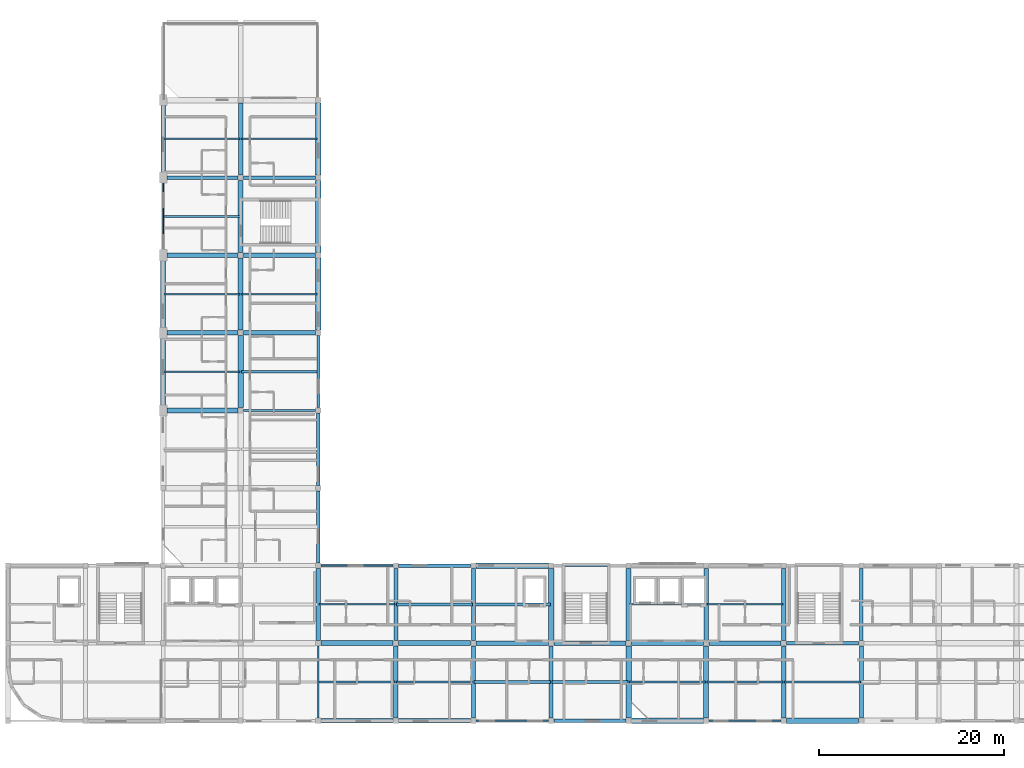
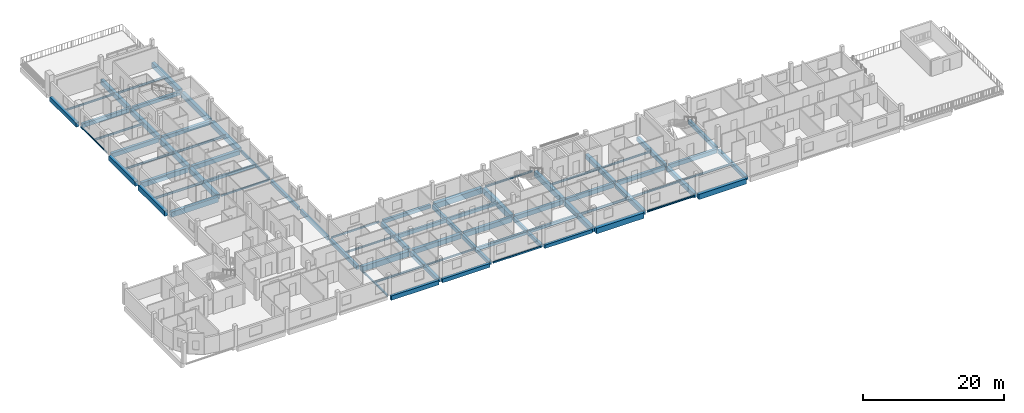
# One storey, part 3 of 26: 75 beams.
"""IFC4 building model written with IfcOpenShell, lengths in metres."""

from ifc_helpers import new_model, si_unit, derived_unit, direction, frame, origin, origin_2d, place, context, subcontext, project, spatial, rectangle, hollow_rectangle, i_section, extrude, material, material_profile, profile_set, type_object, element, save


model = new_model("IFC4")

# Units and contexts
model_context = context("Model", 3, precision=1e-05, world=origin(), true_north=direction((0.0, 1.0)))
body_context = subcontext(model_context, "Body", "Model", "MODEL_VIEW")
ifc_project = project(units=[si_unit("LENGTHUNIT", "METRE"), si_unit("AREAUNIT", "SQUARE_METRE"), si_unit("VOLUMEUNIT", "CUBIC_METRE"), si_unit("PLANEANGLEUNIT", "RADIAN"), si_unit("MASSUNIT", "GRAM", prefix="KILO"), derived_unit("THERMALTRANSMITTANCEUNIT", [(si_unit("POWERUNIT", "WATT"), 1), (si_unit("LENGTHUNIT", "METRE"), -2), (si_unit("THERMODYNAMICTEMPERATUREUNIT", "KELVIN"), -1)])], contexts=[model_context])

# Site, building, storey
site_placement = place(None, origin())
site = spatial("IfcSite", under=ifc_project, at=site_placement, CompositionType="ELEMENT")
building_placement = place(site_placement, origin())
building = spatial("IfcBuilding", under=site, at=building_placement, Name="Barrovel Congress Hotel", CompositionType="ELEMENT")
storey_placement = place(building_placement, frame((0.0, 0.0, 32.699951171875)))
storey = spatial("IfcBuildingStorey", under=building, at=storey_placement, Name="L08", CompositionType="ELEMENT", Elevation=32.699951171875)

# Beams
ifc_material_1 = material(Name="Concrete C40", Category="concrete")
ifc_material_profile_1 = material_profile(ifc_material_1, rectangle(XDim=0.25, YDim=0.5, at=origin_2d()), Name="RC250x500")
ifc_profile_set_1 = profile_set([ifc_material_profile_1], Name="Concrete C40")
beam_type_1 = type_object("IfcBeamType", Name="BM-RC250x500", PredefinedType="SPANDREL", material=ifc_profile_set_1)
beam_1_placement = place(storey_placement, frame((50.39990234375, 38.10009765625, -0.469970703125), z_axis=(0.0, 1.0, 0.0), x_axis=(-1.0, 0.0, 0.0)))
element("IfcBeam", 1, at=beam_1_placement, inside=storey, type_object=beam_type_1, Name="BMY:L08:50.4:37.8-46.2", PredefinedType="SPANDREL", context=body_context, shape_type="SweptSolid", body=[
    extrude(rectangle(XDim=0.25, YDim=0.5, at=origin_2d()), origin(), (0.0, 0.0, 1.0), 7.7998046875),
])
ifc_material_profile_2 = material_profile(ifc_material_1, rectangle(XDim=0.300048828125, YDim=0.5, at=origin_2d()), Name="RC300x500")
ifc_profile_set_2 = profile_set([ifc_material_profile_2], Name="Concrete C40")
beam_type_2 = type_object("IfcBeamType", Name="BM-RC300x500", PredefinedType="JOIST", material=ifc_profile_set_2)
for number, where, z_axis, x_axis, name in (
    (2, (42.080078125, 42.0, -0.469970703125), (1.0, 0.0, 0.0), (0.0, 1.0, 0.0), "JST:L08:42.0:42.0"),
    (3, (75.679931640625, 8.39990234375, -0.469970703125), (1.0, 0.0, 0.0), (0.0, 1.0, 0.0), "JST:L08:75.6:8.4"),
):
    element("IfcBeam", number, at=place(storey_placement, frame(where, z_axis=z_axis, x_axis=x_axis)), inside=storey, type_object=beam_type_2, Name=name, PredefinedType="JOIST", context=body_context, shape_type="SweptSolid", body=[
        extrude(rectangle(XDim=0.300048828125, YDim=0.5, at=origin_2d()), origin(), (0.0, 0.0, 1.0), 8.239990234375),
    ])
ifc_material_profile_3 = material_profile(ifc_material_1, rectangle(XDim=0.300048828125, YDim=0.60009765625, at=origin_2d()), Name="RC300x600")
ifc_profile_set_3 = profile_set([ifc_material_profile_3], Name="Concrete C40")
beam_type_3 = type_object("IfcBeamType", Name="BM-RC300x600", PredefinedType="JOIST", material=ifc_profile_set_3)
beam_2_placement = place(storey_placement, frame((67.280029296875, 16.800048828125, -0.52001953125), z_axis=(1.0, 0.0, 0.0), x_axis=(0.0, 1.0, 0.0)))
element("IfcBeam", 4, at=beam_2_placement, inside=storey, type_object=beam_type_3, Name="JST:L08:67.2:16.8", PredefinedType="JOIST", context=body_context, shape_type="SweptSolid", body=[
    extrude(rectangle(XDim=0.300048828125, YDim=0.60009765625, at=origin_2d()), origin(), (0.0, 0.0, 1.0), 8.239990234375),
])
ifc_material_profile_4 = material_profile(ifc_material_1, rectangle(XDim=0.35009765625, YDim=0.550048828125, at=origin_2d()), Name="RC350x550")
ifc_profile_set_4 = profile_set([ifc_material_profile_4], Name="Concrete C40")
beam_type_4 = type_object("IfcBeamType", Name="BM-RC350x550", PredefinedType="JOIST", material=ifc_profile_set_4)
beam_3_placement = place(storey_placement, frame((67.280029296875, 8.39990234375, -0.494873046875), z_axis=(1.0, 0.0, 0.0), x_axis=(0.0, 1.0, 0.0)))
element("IfcBeam", 5, at=beam_3_placement, inside=storey, type_object=beam_type_4, Name="JST:L08:67.2:8.4", PredefinedType="JOIST", context=body_context, shape_type="SweptSolid", body=[
    extrude(rectangle(XDim=0.35009765625, YDim=0.550048828125, at=origin_2d()), origin(), (0.0, 0.0, 1.0), 8.239990234375),
])
ifc_material_profile_5 = material_profile(ifc_material_1, rectangle(XDim=0.35009765625, YDim=0.64990234375, at=origin_2d()), Name="RC350x650")
ifc_profile_set_5 = profile_set([ifc_material_profile_5], Name="Concrete C40")
beam_type_5 = type_object("IfcBeamType", Name="BM-RC350x650", PredefinedType="JOIST", material=ifc_profile_set_5)
beam_4_placement = place(storey_placement, frame((58.8798828125, 16.800048828125, -0.544921875), z_axis=(1.0, 0.0, 0.0), x_axis=(0.0, 1.0, 0.0)))
element("IfcBeam", 6, at=beam_4_placement, inside=storey, type_object=beam_type_5, Name="JST:L08:58.8:16.8", PredefinedType="JOIST", context=body_context, shape_type="SweptSolid", body=[
    extrude(rectangle(XDim=0.35009765625, YDim=0.64990234375, at=origin_2d()), origin(), (0.0, 0.0, 1.0), 8.240234375),
])
ifc_material_profile_6 = material_profile(ifc_material_1, rectangle(XDim=0.39990234375, YDim=0.60009765625, at=origin_2d()), Name="RC400x600")
ifc_profile_set_6 = profile_set([ifc_material_profile_6], Name="Concrete C40")
beam_type_6 = type_object("IfcBeamType", Name="BM-RC400x600", PredefinedType="BEAM", material=ifc_profile_set_6)
beam_5_placement = place(storey_placement, frame((75.89990234375, 4.199951171875, -0.52001953125), z_axis=(1.0, 0.0, 0.0), x_axis=(0.0, 1.0, 0.0)))
element("IfcBeam", 7, at=beam_5_placement, inside=storey, type_object=beam_type_6, Name="BMX:L08:4.2:75.6-84.0", PredefinedType="BEAM", context=body_context, shape_type="SweptSolid", body=[
    extrude(rectangle(XDim=0.39990234375, YDim=0.60009765625, at=origin_2d()), origin(), (0.0, 0.0, 1.0), 7.800048828125),
])
beam_6_placement = place(storey_placement, frame((59.10009765625, 21.0, -0.52001953125), z_axis=(1.0, 0.0, 0.0), x_axis=(0.0, 1.0, 0.0)))
element("IfcBeam", 8, at=beam_6_placement, inside=storey, type_object=beam_type_6, Name="BMX:L08:21.0:58.8-67.2", PredefinedType="BEAM", context=body_context, shape_type="SweptSolid", body=[
    extrude(rectangle(XDim=0.39990234375, YDim=0.60009765625, at=origin_2d()), origin(), (0.0, 0.0, 1.0), 7.7998046875),
])
for number, where, z_axis, x_axis, name in (
    (9, (42.300048828125, 63.0, -0.52001953125), (1.0, 0.0, 0.0), (0.0, 1.0, 0.0), "BMX:L08:63.0:42.0-50.4"),
    (10, (50.39990234375, 29.699951171875, -0.52001953125), (0.0, 1.0, 0.0), (-1.0, 0.0, 0.0), "BMY:L08:50.4:29.4-37.8"),
    (11, (75.60009765625, 4.5, -0.52001953125), (0.0, 1.0, 0.0), (-1.0, 0.0, 0.0), "BMY:L08:75.6:4.2-12.6"),
):
    element("IfcBeam", number, at=place(storey_placement, frame(where, z_axis=z_axis, x_axis=x_axis)), inside=storey, type_object=beam_type_6, Name=name, PredefinedType="BEAM", context=body_context, shape_type="SweptSolid", body=[
        extrude(rectangle(XDim=0.39990234375, YDim=0.60009765625, at=origin_2d()), origin(), (0.0, 0.0, 1.0), 7.800048828125),
    ])
ifc_material_profile_7 = material_profile(ifc_material_1, rectangle(XDim=0.39990234375, YDim=0.699951171875, at=origin_2d()), Name="RC400x700")
ifc_profile_set_7 = profile_set([ifc_material_profile_7], Name="Concrete C40")
beam_type_7 = type_object("IfcBeamType", Name="BM-RC400x700", PredefinedType="BEAM", material=ifc_profile_set_7)
beam_7_placement = place(storey_placement, frame((101.10009765625, 12.60009765625, -0.570068359375), z_axis=(1.0, 0.0, 0.0), x_axis=(0.0, 1.0, 0.0)))
element("IfcBeam", 12, at=beam_7_placement, inside=storey, type_object=beam_type_7, Name="BMX:L08:12.6:100.8-109.2", PredefinedType="BEAM", context=body_context, shape_type="SweptSolid", body=[
    extrude(rectangle(XDim=0.39990234375, YDim=0.699951171875, at=origin_2d()), origin(), (0.0, 0.0, 1.0), 7.7998046875),
])
beam_8_placement = place(storey_placement, frame((34.0, 63.0, -0.570068359375), z_axis=(1.0, 0.0, 0.0), x_axis=(0.0, 1.0, 0.0)))
element("IfcBeam", 13, at=beam_8_placement, inside=storey, type_object=beam_type_7, Name="BMX:L08:63.0:33.6-42.0", PredefinedType="BEAM", context=body_context, shape_type="SweptSolid", body=[
    extrude(rectangle(XDim=0.39990234375, YDim=0.699951171875, at=origin_2d()), origin(), (0.0, 0.0, 1.0), 7.699951171875),
])
for number, where, z_axis, x_axis, name in (
    (14, (50.39990234375, 21.300048828125, -0.570068359375), (0.0, 1.0, 0.0), (-1.0, 0.0, 0.0), "BMY:L08:50.4:21.0-29.4"),
    (15, (67.199951171875, 12.89990234375, -0.570068359375), (0.0, 1.0, 0.0), (-1.0, 0.0, 0.0), "BMY:L08:67.2:12.6-21.0"),
    (16, (109.199951171875, 12.89990234375, -0.570068359375), (0.0, 1.0, 0.0), (-1.0, 0.0, 0.0), "BMY:L08:109.2:12.6-21.0"),
):
    element("IfcBeam", number, at=place(storey_placement, frame(where, z_axis=z_axis, x_axis=x_axis)), inside=storey, type_object=beam_type_7, Name=name, PredefinedType="BEAM", context=body_context, shape_type="SweptSolid", body=[
        extrude(rectangle(XDim=0.39990234375, YDim=0.699951171875, at=origin_2d()), origin(), (0.0, 0.0, 1.0), 7.800048828125),
    ])
ifc_material_profile_8 = material_profile(ifc_material_1, rectangle(XDim=0.449951171875, YDim=0.64990234375, at=origin_2d()), Name="RC450x650")
ifc_profile_set_8 = profile_set([ifc_material_profile_8], Name="Concrete C40")
beam_type_8 = type_object("IfcBeamType", Name="BM-RC450x650", PredefinedType="BEAM", material=ifc_profile_set_8)
beam_9_placement = place(storey_placement, frame((59.10009765625, 4.199951171875, -0.544921875), z_axis=(1.0, 0.0, 0.0), x_axis=(0.0, 1.0, 0.0)))
element("IfcBeam", 17, at=beam_9_placement, inside=storey, type_object=beam_type_8, Name="BMX:L08:4.2:58.8-67.2", PredefinedType="BEAM", context=body_context, shape_type="SweptSolid", body=[
    extrude(rectangle(XDim=0.449951171875, YDim=0.64990234375, at=origin_2d()), origin(), (0.0, 0.0, 1.0), 7.7998046875),
])
for number, where, z_axis, x_axis, name in (
    (18, (92.699951171875, 12.60009765625, -0.544921875), (1.0, 0.0, 0.0), (0.0, 1.0, 0.0), "BMX:L08:12.6:92.4-100.8"),
    (19, (42.300048828125, 54.60009765625, -0.544921875), (1.0, 0.0, 0.0), (0.0, 1.0, 0.0), "BMX:L08:54.6:42.0-50.4"),
    (20, (50.39990234375, 12.89990234375, -0.544921875), (0.0, 1.0, 0.0), (-1.0, 0.0, 0.0), "BMY:L08:50.4:12.6-21.0"),
    (21, (67.199951171875, 4.5, -0.544921875), (0.0, 1.0, 0.0), (-1.0, 0.0, 0.0), "BMY:L08:67.2:4.2-12.6"),
    (22, (109.199951171875, 4.5, -0.544921875), (0.0, 1.0, 0.0), (-1.0, 0.0, 0.0), "BMY:L08:109.2:4.2-12.6"),
):
    element("IfcBeam", number, at=place(storey_placement, frame(where, z_axis=z_axis, x_axis=x_axis)), inside=storey, type_object=beam_type_8, Name=name, PredefinedType="BEAM", context=body_context, shape_type="SweptSolid", body=[
        extrude(rectangle(XDim=0.449951171875, YDim=0.64990234375, at=origin_2d()), origin(), (0.0, 0.0, 1.0), 7.800048828125),
    ])
ifc_material_profile_9 = material_profile(ifc_material_1, rectangle(XDim=0.449951171875, YDim=0.75, at=origin_2d()), Name="RC450x750")
ifc_profile_set_9 = profile_set([ifc_material_profile_9], Name="Concrete C40")
beam_type_9 = type_object("IfcBeamType", Name="BM-RC450x750", PredefinedType="BEAM", material=ifc_profile_set_9)
for number, where, z_axis, x_axis, name in (
    (23, (50.699951171875, 4.199951171875, -0.594970703125), (1.0, 0.0, 0.0), (0.0, 1.0, 0.0), "BMX:L08:4.2:50.4-58.8"),
    (24, (84.300048828125, 12.60009765625, -0.594970703125), (1.0, 0.0, 0.0), (0.0, 1.0, 0.0), "BMX:L08:12.6:84.0-92.4"),
):
    element("IfcBeam", number, at=place(storey_placement, frame(where, z_axis=z_axis, x_axis=x_axis)), inside=storey, type_object=beam_type_9, Name=name, PredefinedType="BEAM", context=body_context, shape_type="SweptSolid", body=[
        extrude(rectangle(XDim=0.449951171875, YDim=0.75, at=origin_2d()), origin(), (0.0, 0.0, 1.0), 7.800048828125),
    ])
beam_10_placement = place(storey_placement, frame((34.0, 54.60009765625, -0.594970703125), z_axis=(1.0, 0.0, 0.0), x_axis=(0.0, 1.0, 0.0)))
element("IfcBeam", 25, at=beam_10_placement, inside=storey, type_object=beam_type_9, Name="BMX:L08:54.6:33.6-42.0", PredefinedType="BEAM", context=body_context, shape_type="SweptSolid", body=[
    extrude(rectangle(XDim=0.449951171875, YDim=0.75, at=origin_2d()), origin(), (0.0, 0.0, 1.0), 7.699951171875),
])
for number, where, z_axis, x_axis, name in (
    (26, (58.800048828125, 12.89990234375, -0.594970703125), (0.0, 1.0, 0.0), (-1.0, 0.0, 0.0), "BMY:L08:58.8:12.6-21.0"),
    (27, (100.800048828125, 12.89990234375, -0.594970703125), (0.0, 1.0, 0.0), (-1.0, 0.0, 0.0), "BMY:L08:100.8:12.6-21.0"),
):
    element("IfcBeam", number, at=place(storey_placement, frame(where, z_axis=z_axis, x_axis=x_axis)), inside=storey, type_object=beam_type_9, Name=name, PredefinedType="BEAM", context=body_context, shape_type="SweptSolid", body=[
        extrude(rectangle(XDim=0.449951171875, YDim=0.75, at=origin_2d()), origin(), (0.0, 0.0, 1.0), 7.800048828125),
    ])
ifc_material_profile_10 = material_profile(ifc_material_1, rectangle(XDim=0.5, YDim=0.75, at=origin_2d()), Name="RC500x750")
ifc_profile_set_10 = profile_set([ifc_material_profile_10], Name="Concrete C40")
beam_type_10 = type_object("IfcBeamType", Name="BM-RC500x750", PredefinedType="BEAM", material=ifc_profile_set_10)
for number, where, z_axis, x_axis, name in (
    (28, (75.89990234375, 12.60009765625, -0.594970703125), (1.0, 0.0, 0.0), (0.0, 1.0, 0.0), "BMX:L08:12.6:75.6-84.0"),
    (29, (42.300048828125, 46.199951171875, -0.594970703125), (1.0, 0.0, 0.0), (0.0, 1.0, 0.0), "BMX:L08:46.2:42.0-50.4"),
):
    element("IfcBeam", number, at=place(storey_placement, frame(where, z_axis=z_axis, x_axis=x_axis)), inside=storey, type_object=beam_type_10, Name=name, PredefinedType="BEAM", context=body_context, shape_type="SweptSolid", body=[
        extrude(rectangle(XDim=0.5, YDim=0.75, at=origin_2d()), origin(), (0.0, 0.0, 1.0), 7.800048828125),
    ])
beam_11_placement = place(storey_placement, frame((33.60009765625, 63.449951171875, -0.594970703125), z_axis=(0.0, 1.0, 0.0), x_axis=(-1.0, 0.0, 0.0)))
element("IfcBeam", 30, at=beam_11_placement, inside=storey, type_object=beam_type_10, Name="BMY:L08:33.6:63.0-71.4", PredefinedType="BEAM", context=body_context, shape_type="SweptSolid", body=[
    extrude(rectangle(XDim=0.5, YDim=0.75, at=origin_2d()), origin(), (0.0, 0.0, 1.0), 7.5),
])
for number, where, z_axis, x_axis, name in (
    (31, (58.800048828125, 4.5, -0.594970703125), (0.0, 1.0, 0.0), (-1.0, 0.0, 0.0), "BMY:L08:58.8:4.2-12.6"),
    (32, (100.800048828125, 4.5, -0.594970703125), (0.0, 1.0, 0.0), (-1.0, 0.0, 0.0), "BMY:L08:100.8:4.2-12.6"),
):
    element("IfcBeam", number, at=place(storey_placement, frame(where, z_axis=z_axis, x_axis=x_axis)), inside=storey, type_object=beam_type_10, Name=name, PredefinedType="BEAM", context=body_context, shape_type="SweptSolid", body=[
        extrude(rectangle(XDim=0.5, YDim=0.75, at=origin_2d()), origin(), (0.0, 0.0, 1.0), 7.800048828125),
    ])
ifc_material_profile_11 = material_profile(ifc_material_1, rectangle(XDim=0.5, YDim=0.85009765625, at=origin_2d()), Name="RC500x850")
ifc_profile_set_11 = profile_set([ifc_material_profile_11], Name="Concrete C40")
beam_type_11 = type_object("IfcBeamType", Name="BM-RC500x850", PredefinedType="BEAM", material=ifc_profile_set_11)
beam_12_placement = place(storey_placement, frame((67.5, 12.60009765625, -0.64501953125), z_axis=(1.0, 0.0, 0.0), x_axis=(0.0, 1.0, 0.0)))
element("IfcBeam", 33, at=beam_12_placement, inside=storey, type_object=beam_type_11, Name="BMX:L08:12.6:67.2-75.6", PredefinedType="BEAM", context=body_context, shape_type="SweptSolid", body=[
    extrude(rectangle(XDim=0.5, YDim=0.85009765625, at=origin_2d()), origin(), (0.0, 0.0, 1.0), 7.800048828125),
])
beam_13_placement = place(storey_placement, frame((34.0, 46.199951171875, -0.64501953125), z_axis=(1.0, 0.0, 0.0), x_axis=(0.0, 1.0, 0.0)))
element("IfcBeam", 34, at=beam_13_placement, inside=storey, type_object=beam_type_11, Name="BMX:L08:46.2:33.6-42.0", PredefinedType="BEAM", context=body_context, shape_type="SweptSolid", body=[
    extrude(rectangle(XDim=0.5, YDim=0.85009765625, at=origin_2d()), origin(), (0.0, 0.0, 1.0), 7.699951171875),
])
for number, where, z_axis, x_axis, name in (
    (35, (42.0, 63.300048828125, -0.64501953125), (0.0, 1.0, 0.0), (-1.0, 0.0, 0.0), "BMY:L08:42.0:63.0-71.4"),
    (36, (92.39990234375, 12.89990234375, -0.64501953125), (0.0, 1.0, 0.0), (-1.0, 0.0, 0.0), "BMY:L08:92.4:12.6-21.0"),
):
    element("IfcBeam", number, at=place(storey_placement, frame(where, z_axis=z_axis, x_axis=x_axis)), inside=storey, type_object=beam_type_11, Name=name, PredefinedType="BEAM", context=body_context, shape_type="SweptSolid", body=[
        extrude(rectangle(XDim=0.5, YDim=0.85009765625, at=origin_2d()), origin(), (0.0, 0.0, 1.0), 7.800048828125),
    ])
ifc_material_profile_12 = material_profile(ifc_material_1, rectangle(XDim=0.550048828125, YDim=0.800048828125, at=origin_2d()), Name="RC550x800")
ifc_profile_set_12 = profile_set([ifc_material_profile_12], Name="Concrete C40")
beam_type_12 = type_object("IfcBeamType", Name="BM-RC550x800", PredefinedType="BEAM", material=ifc_profile_set_12)
beam_14_placement = place(storey_placement, frame((59.10009765625, 12.60009765625, -0.619873046875), z_axis=(1.0, 0.0, 0.0), x_axis=(0.0, 1.0, 0.0)))
element("IfcBeam", 37, at=beam_14_placement, inside=storey, type_object=beam_type_12, Name="BMX:L08:12.6:58.8-67.2", PredefinedType="BEAM", context=body_context, shape_type="SweptSolid", body=[
    extrude(rectangle(XDim=0.550048828125, YDim=0.800048828125, at=origin_2d()), origin(), (0.0, 0.0, 1.0), 7.7998046875),
])
beam_15_placement = place(storey_placement, frame((33.60009765625, 46.64990234375, -0.619873046875), z_axis=(0.0, 1.0, 0.0), x_axis=(-1.0, 0.0, 0.0)))
element("IfcBeam", 38, at=beam_15_placement, inside=storey, type_object=beam_type_12, Name="BMY:L08:33.6:46.2-54.6", PredefinedType="BEAM", context=body_context, shape_type="SweptSolid", body=[
    extrude(rectangle(XDim=0.550048828125, YDim=0.800048828125, at=origin_2d()), origin(), (0.0, 0.0, 1.0), 7.5),
])
for number, where, z_axis, x_axis, name in (
    (39, (42.0, 54.89990234375, -0.619873046875), (0.0, 1.0, 0.0), (-1.0, 0.0, 0.0), "BMY:L08:42.0:54.6-63.0"),
    (40, (50.39990234375, 63.300048828125, -0.619873046875), (0.0, 1.0, 0.0), (-1.0, 0.0, 0.0), "BMY:L08:50.4:63.0-71.4"),
    (41, (92.39990234375, 4.5, -0.619873046875), (0.0, 1.0, 0.0), (-1.0, 0.0, 0.0), "BMY:L08:92.4:4.2-12.6"),
):
    element("IfcBeam", number, at=place(storey_placement, frame(where, z_axis=z_axis, x_axis=x_axis)), inside=storey, type_object=beam_type_12, Name=name, PredefinedType="BEAM", context=body_context, shape_type="SweptSolid", body=[
        extrude(rectangle(XDim=0.550048828125, YDim=0.800048828125, at=origin_2d()), origin(), (0.0, 0.0, 1.0), 7.800048828125),
    ])
ifc_material_profile_13 = material_profile(ifc_material_1, rectangle(XDim=0.550048828125, YDim=0.89990234375, at=origin_2d()), Name="RC550x900")
ifc_profile_set_13 = profile_set([ifc_material_profile_13], Name="Concrete C40")
beam_type_13 = type_object("IfcBeamType", Name="BM-RC550x900", PredefinedType="BEAM", material=ifc_profile_set_13)
beam_16_placement = place(storey_placement, frame((101.10009765625, 4.199951171875, -0.669921875), z_axis=(1.0, 0.0, 0.0), x_axis=(0.0, 1.0, 0.0)))
element("IfcBeam", 42, at=beam_16_placement, inside=storey, type_object=beam_type_13, Name="BMX:L08:4.2:100.8-109.2", PredefinedType="BEAM", context=body_context, shape_type="SweptSolid", body=[
    extrude(rectangle(XDim=0.550048828125, YDim=0.89990234375, at=origin_2d()), origin(), (0.0, 0.0, 1.0), 7.7998046875),
])
beam_17_placement = place(storey_placement, frame((50.699951171875, 12.60009765625, -0.669921875), z_axis=(1.0, 0.0, 0.0), x_axis=(0.0, 1.0, 0.0)))
element("IfcBeam", 43, at=beam_17_placement, inside=storey, type_object=beam_type_13, Name="BMX:L08:12.6:50.4-58.8", PredefinedType="BEAM", context=body_context, shape_type="SweptSolid", body=[
    extrude(rectangle(XDim=0.550048828125, YDim=0.89990234375, at=origin_2d()), origin(), (0.0, 0.0, 1.0), 7.800048828125),
])
beam_18_placement = place(storey_placement, frame((34.0, 37.800048828125, -0.669921875), z_axis=(1.0, 0.0, 0.0), x_axis=(0.0, 1.0, 0.0)))
element("IfcBeam", 44, at=beam_18_placement, inside=storey, type_object=beam_type_13, Name="BMX:L08:37.8:33.6-42.0", PredefinedType="BEAM", context=body_context, shape_type="SweptSolid", body=[
    extrude(rectangle(XDim=0.550048828125, YDim=0.89990234375, at=origin_2d()), origin(), (0.0, 0.0, 1.0), 7.699951171875),
])
beam_19_placement = place(storey_placement, frame((33.60009765625, 38.25, -0.669921875), z_axis=(0.0, 1.0, 0.0), x_axis=(-1.0, 0.0, 0.0)))
element("IfcBeam", 45, at=beam_19_placement, inside=storey, type_object=beam_type_13, Name="BMY:L08:33.6:37.8-46.2", PredefinedType="BEAM", context=body_context, shape_type="SweptSolid", body=[
    extrude(rectangle(XDim=0.550048828125, YDim=0.89990234375, at=origin_2d()), origin(), (0.0, 0.0, 1.0), 7.5),
])
for number, where, z_axis, x_axis, name in (
    (46, (42.0, 46.5, -0.669921875), (0.0, 1.0, 0.0), (-1.0, 0.0, 0.0), "BMY:L08:42.0:46.2-54.6"),
    (47, (50.39990234375, 54.89990234375, -0.669921875), (0.0, 1.0, 0.0), (-1.0, 0.0, 0.0), "BMY:L08:50.4:54.6-63.0"),
    (48, (84.0, 12.89990234375, -0.669921875), (0.0, 1.0, 0.0), (-1.0, 0.0, 0.0), "BMY:L08:84.0:12.6-21.0"),
):
    element("IfcBeam", number, at=place(storey_placement, frame(where, z_axis=z_axis, x_axis=x_axis)), inside=storey, type_object=beam_type_13, Name=name, PredefinedType="BEAM", context=body_context, shape_type="SweptSolid", body=[
        extrude(rectangle(XDim=0.550048828125, YDim=0.89990234375, at=origin_2d()), origin(), (0.0, 0.0, 1.0), 7.800048828125),
    ])
ifc_material_profile_14 = material_profile(ifc_material_1, rectangle(XDim=0.60009765625, YDim=0.85009765625, at=origin_2d()), Name="RC600x850")
ifc_profile_set_14 = profile_set([ifc_material_profile_14], Name="Concrete C40")
beam_type_14 = type_object("IfcBeamType", Name="BM-RC600x850", PredefinedType="BEAM", material=ifc_profile_set_14)
beam_20_placement = place(storey_placement, frame((42.0, 38.10009765625, -0.64501953125), z_axis=(0.0, 1.0, 0.0), x_axis=(-1.0, 0.0, 0.0)))
element("IfcBeam", 49, at=beam_20_placement, inside=storey, type_object=beam_type_14, Name="BMY:L08:42.0:37.8-46.2", PredefinedType="BEAM", context=body_context, shape_type="SweptSolid", body=[
    extrude(rectangle(XDim=0.60009765625, YDim=0.85009765625, at=origin_2d()), origin(), (0.0, 0.0, 1.0), 7.7998046875),
])
for number, where, z_axis, x_axis, name in (
    (50, (50.39990234375, 46.5, -0.64501953125), (0.0, 1.0, 0.0), (-1.0, 0.0, 0.0), "BMY:L08:50.4:46.2-54.6"),
    (51, (84.0, 4.5, -0.64501953125), (0.0, 1.0, 0.0), (-1.0, 0.0, 0.0), "BMY:L08:84.0:4.2-12.6"),
):
    element("IfcBeam", number, at=place(storey_placement, frame(where, z_axis=z_axis, x_axis=x_axis)), inside=storey, type_object=beam_type_14, Name=name, PredefinedType="BEAM", context=body_context, shape_type="SweptSolid", body=[
        extrude(rectangle(XDim=0.60009765625, YDim=0.85009765625, at=origin_2d()), origin(), (0.0, 0.0, 1.0), 7.800048828125),
    ])
ifc_material_profile_15 = material_profile(ifc_material_1, rectangle(XDim=0.60009765625, YDim=0.949951171875, at=origin_2d()), Name="RC600x950")
ifc_profile_set_15 = profile_set([ifc_material_profile_15], Name="Concrete C40")
beam_type_15 = type_object("IfcBeamType", Name="BM-RC600x950", PredefinedType="BEAM", material=ifc_profile_set_15)
for number, where, z_axis, x_axis, name in (
    (52, (84.300048828125, 4.199951171875, -0.695068359375), (1.0, 0.0, 0.0), (0.0, 1.0, 0.0), "BMX:L08:4.2:84.0-92.4"),
    (53, (67.5, 21.0, -0.695068359375), (1.0, 0.0, 0.0), (0.0, 1.0, 0.0), "BMX:L08:21.0:67.2-75.6"),
    (54, (75.60009765625, 12.89990234375, -0.695068359375), (0.0, 1.0, 0.0), (-1.0, 0.0, 0.0), "BMY:L08:75.6:12.6-21.0"),
):
    element("IfcBeam", number, at=place(storey_placement, frame(where, z_axis=z_axis, x_axis=x_axis)), inside=storey, type_object=beam_type_15, Name=name, PredefinedType="BEAM", context=body_context, shape_type="SweptSolid", body=[
        extrude(rectangle(XDim=0.60009765625, YDim=0.949951171875, at=origin_2d()), origin(), (0.0, 0.0, 1.0), 7.800048828125),
    ])
ifc_material_2 = material(Name="Steel ASTM A500 Grade C", Category="steel")
ifc_material_profile_16 = material_profile(ifc_material_2, hollow_rectangle(XDim=0.15234375, YDim=0.25390625, WallThickness=0.0087890625, InnerFilletRadius=0.0087890625, OuterFilletRadius=0.017578125, at=origin_2d()), Name="HSS254x152x9.5")
ifc_profile_set_16 = profile_set([ifc_material_profile_16], Name="Steel ASTM A500 Grade C")
beam_type_16 = type_object("IfcBeamType", Name="SBM-HSS254x152x9.5", PredefinedType="SPANDREL", material=ifc_profile_set_16)
beam_21_placement = place(storey_placement, frame((33.60009765625, 55.050048828125, -0.346923828125), z_axis=(0.0, 1.0, 0.0), x_axis=(-1.0, 0.0, 0.0)))
element("IfcBeam", 55, at=beam_21_placement, inside=storey, type_object=beam_type_16, Name="BMY:L08:33.6:54.6-63.0", PredefinedType="SPANDREL", context=body_context, shape_type="SweptSolid", body=[
    extrude(hollow_rectangle(XDim=0.15234375, YDim=0.25390625, WallThickness=0.0087890625, InnerFilletRadius=0.0087890625, OuterFilletRadius=0.017578125, at=origin_2d()), origin(), (0.0, 0.0, 1.0), 7.5),
])
ifc_material_profile_17 = material_profile(ifc_material_2, hollow_rectangle(XDim=0.203125, YDim=0.3046875, WallThickness=0.01171875, InnerFilletRadius=0.01171875, OuterFilletRadius=0.023681640625, at=origin_2d()), Name="HSS305x203x12.7")
ifc_profile_set_17 = profile_set([ifc_material_profile_17], Name="Steel ASTM A500 Grade C")
beam_type_17 = type_object("IfcBeamType", Name="SBM-HSS305x203x12.7", PredefinedType="SPANDREL", material=ifc_profile_set_17)
for number, where, z_axis, x_axis, name in (
    (56, (67.5, 4.199951171875, -0.372314453125), (1.0, 0.0, 0.0), (0.0, 1.0, 0.0), "BMX:L08:4.2:67.2-75.6"),
    (57, (50.699951171875, 21.0, -0.372314453125), (1.0, 0.0, 0.0), (0.0, 1.0, 0.0), "BMX:L08:21.0:50.4-58.8"),
    (58, (42.300048828125, 37.800048828125, -0.372314453125), (1.0, 0.0, 0.0), (0.0, 1.0, 0.0), "BMX:L08:37.8:42.0-50.4"),
):
    element("IfcBeam", number, at=place(storey_placement, frame(where, z_axis=z_axis, x_axis=x_axis)), inside=storey, type_object=beam_type_17, Name=name, PredefinedType="SPANDREL", context=body_context, shape_type="SweptSolid", body=[
        extrude(hollow_rectangle(XDim=0.203125, YDim=0.3046875, WallThickness=0.01171875, InnerFilletRadius=0.01171875, OuterFilletRadius=0.023681640625, at=origin_2d()), origin(), (0.0, 0.0, 1.0), 7.800048828125),
    ])
ifc_material_3 = material(Name="Steel ASTM A992 Grade 50", Category="steel")
ifc_material_profile_18 = material_profile(ifc_material_3, i_section(OverallWidth=0.1650390625, OverallDepth=0.31005859375, WebThickness=0.005859375, FlangeThickness=0.009765625, FilletRadius=0.010986328125, at=origin_2d()), Name="W310x39")
ifc_profile_set_18 = profile_set([ifc_material_profile_18], Name="Steel ASTM A992 Grade 50")
beam_type_18 = type_object("IfcBeamType", Name="SBM-W310x39", PredefinedType="JOIST", material=ifc_profile_set_18)
for number, where, z_axis, x_axis, name in (
    (59, (58.8798828125, 8.39990234375, -0.375), (1.0, 0.0, 0.0), (0.0, 1.0, 0.0), "JST:L08:58.8:8.4"),
    (60, (100.8798828125, 8.39990234375, -0.375), (1.0, 0.0, 0.0), (0.0, 1.0, 0.0), "JST:L08:100.8:8.4"),
):
    element("IfcBeam", number, at=place(storey_placement, frame(where, z_axis=z_axis, x_axis=x_axis)), inside=storey, type_object=beam_type_18, Name=name, PredefinedType="JOIST", context=body_context, shape_type="SweptSolid", body=[
        extrude(i_section(OverallWidth=0.1650390625, OverallDepth=0.31005859375, WebThickness=0.005859375, FlangeThickness=0.009765625, FilletRadius=0.010986328125, at=origin_2d()), origin(), (0.0, 0.0, 1.0), 8.240234375),
    ])
ifc_material_profile_19 = material_profile(ifc_material_3, i_section(OverallWidth=0.1669921875, OverallDepth=0.31689453125, WebThickness=0.007568359375, FlangeThickness=0.01318359375, FilletRadius=0.010986328125, at=origin_2d()), Name="W310x52")
ifc_profile_set_19 = profile_set([ifc_material_profile_19], Name="Steel ASTM A992 Grade 50")
beam_type_19 = type_object("IfcBeamType", Name="SBM-W310x52", PredefinedType="JOIST", material=ifc_profile_set_19)
for number, where, z_axis, x_axis, name in (
    (61, (33.679931640625, 67.199951171875, -0.37841796875), (1.0, 0.0, 0.0), (0.0, 1.0, 0.0), "JST:L08:33.6:67.2"),
    (62, (50.47998046875, 16.800048828125, -0.37841796875), (1.0, 0.0, 0.0), (0.0, 1.0, 0.0), "JST:L08:50.4:16.8"),
    (63, (92.47998046875, 16.800048828125, -0.37841796875), (1.0, 0.0, 0.0), (0.0, 1.0, 0.0), "JST:L08:92.4:16.8"),
):
    element("IfcBeam", number, at=place(storey_placement, frame(where, z_axis=z_axis, x_axis=x_axis)), inside=storey, type_object=beam_type_19, Name=name, PredefinedType="JOIST", context=body_context, shape_type="SweptSolid", body=[
        extrude(i_section(OverallWidth=0.1669921875, OverallDepth=0.31689453125, WebThickness=0.007568359375, FlangeThickness=0.01318359375, FilletRadius=0.010986328125, at=origin_2d()), origin(), (0.0, 0.0, 1.0), 8.239990234375),
    ])
ifc_material_profile_20 = material_profile(ifc_material_3, i_section(OverallWidth=0.205078125, OverallDepth=0.31005859375, WebThickness=0.009521484375, FlangeThickness=0.016357421875, FilletRadius=0.012939453125, at=origin_2d()), Name="W310x74")
ifc_profile_set_20 = profile_set([ifc_material_profile_20], Name="Steel ASTM A992 Grade 50")
beam_type_20 = type_object("IfcBeamType", Name="SBM-W310x74", PredefinedType="SPANDREL", material=ifc_profile_set_20)
for number, where, z_axis, x_axis, name in (
    (64, (92.699951171875, 4.199951171875, -0.375), (1.0, 0.0, 0.0), (0.0, 1.0, 0.0), "BMX:L08:4.2:92.4-100.8"),
    (65, (75.89990234375, 21.0, -0.375), (1.0, 0.0, 0.0), (0.0, 1.0, 0.0), "BMX:L08:21.0:75.6-84.0"),
    (66, (50.39990234375, 4.5, -0.375), (0.0, 1.0, 0.0), (-1.0, 0.0, 0.0), "BMY:L08:50.4:4.2-12.6"),
):
    element("IfcBeam", number, at=place(storey_placement, frame(where, z_axis=z_axis, x_axis=x_axis)), inside=storey, type_object=beam_type_20, Name=name, PredefinedType="SPANDREL", context=body_context, shape_type="SweptSolid", body=[
        extrude(i_section(OverallWidth=0.205078125, OverallDepth=0.31005859375, WebThickness=0.009521484375, FlangeThickness=0.016357421875, FilletRadius=0.012939453125, at=origin_2d()), origin(), (0.0, 0.0, 1.0), 7.800048828125),
    ])
ifc_material_profile_21 = material_profile(ifc_material_3, i_section(OverallWidth=0.1708984375, OverallDepth=0.35205078125, WebThickness=0.0068359375, FlangeThickness=0.009765625, FilletRadius=0.011962890625, at=origin_2d()), Name="W360x44")
ifc_profile_set_21 = profile_set([ifc_material_profile_21], Name="Steel ASTM A992 Grade 50")
beam_type_21 = type_object("IfcBeamType", Name="SBM-W360x44", PredefinedType="JOIST", material=ifc_profile_set_21)
for number, where, z_axis, x_axis, name in (
    (67, (33.679931640625, 58.800048828125, -0.39599609375), (1.0, 0.0, 0.0), (0.0, 1.0, 0.0), "JST:L08:33.6:58.8"),
    (68, (50.47998046875, 8.39990234375, -0.39599609375), (1.0, 0.0, 0.0), (0.0, 1.0, 0.0), "JST:L08:50.4:8.4"),
    (69, (92.47998046875, 8.39990234375, -0.39599609375), (1.0, 0.0, 0.0), (0.0, 1.0, 0.0), "JST:L08:92.4:8.4"),
):
    element("IfcBeam", number, at=place(storey_placement, frame(where, z_axis=z_axis, x_axis=x_axis)), inside=storey, type_object=beam_type_21, Name=name, PredefinedType="JOIST", context=body_context, shape_type="SweptSolid", body=[
        extrude(i_section(OverallWidth=0.1708984375, OverallDepth=0.35205078125, WebThickness=0.0068359375, FlangeThickness=0.009765625, FilletRadius=0.011962890625, at=origin_2d()), origin(), (0.0, 0.0, 1.0), 8.239990234375),
    ])
ifc_material_profile_22 = material_profile(ifc_material_3, i_section(OverallWidth=0.172119140625, OverallDepth=0.35791015625, WebThickness=0.0078125, FlangeThickness=0.01318359375, FilletRadius=0.011962890625, at=origin_2d()), Name="W360x57")
ifc_profile_set_22 = profile_set([ifc_material_profile_22], Name="Steel ASTM A992 Grade 50")
beam_type_22 = type_object("IfcBeamType", Name="SBM-W360x57", PredefinedType="JOIST", material=ifc_profile_set_22)
for number, where, z_axis, x_axis, name in (
    (70, (33.679931640625, 50.39990234375, -0.39892578125), (1.0, 0.0, 0.0), (0.0, 1.0, 0.0), "JST:L08:33.6:50.4"),
    (71, (42.080078125, 67.199951171875, -0.39892578125), (1.0, 0.0, 0.0), (0.0, 1.0, 0.0), "JST:L08:42.0:67.2"),
    (72, (84.080078125, 16.800048828125, -0.39892578125), (1.0, 0.0, 0.0), (0.0, 1.0, 0.0), "JST:L08:84.0:16.8"),
):
    element("IfcBeam", number, at=place(storey_placement, frame(where, z_axis=z_axis, x_axis=x_axis)), inside=storey, type_object=beam_type_22, Name=name, PredefinedType="JOIST", context=body_context, shape_type="SweptSolid", body=[
        extrude(i_section(OverallWidth=0.172119140625, OverallDepth=0.35791015625, WebThickness=0.0078125, FlangeThickness=0.01318359375, FilletRadius=0.011962890625, at=origin_2d()), origin(), (0.0, 0.0, 1.0), 8.239990234375),
    ])
ifc_material_profile_23 = material_profile(ifc_material_3, i_section(OverallWidth=0.177001953125, OverallDepth=0.403076171875, WebThickness=0.007568359375, FlangeThickness=0.010986328125, FilletRadius=0.011962890625, at=origin_2d()), Name="W410x53")
ifc_profile_set_23 = profile_set([ifc_material_profile_23], Name="Steel ASTM A992 Grade 50")
beam_type_23 = type_object("IfcBeamType", Name="SBM-W410x53", PredefinedType="JOIST", material=ifc_profile_set_23)
for number, where, z_axis, x_axis, name in (
    (73, (33.679931640625, 42.0, -0.42138671875), (1.0, 0.0, 0.0), (0.0, 1.0, 0.0), "JST:L08:33.6:42.0"),
    (74, (42.080078125, 50.39990234375, -0.42138671875), (1.0, 0.0, 0.0), (0.0, 1.0, 0.0), "JST:L08:42.0:50.4"),
    (75, (84.080078125, 8.39990234375, -0.42138671875), (1.0, 0.0, 0.0), (0.0, 1.0, 0.0), "JST:L08:84.0:8.4"),
):
    element("IfcBeam", number, at=place(storey_placement, frame(where, z_axis=z_axis, x_axis=x_axis)), inside=storey, type_object=beam_type_23, Name=name, PredefinedType="JOIST", context=body_context, shape_type="SweptSolid", body=[
        extrude(i_section(OverallWidth=0.177001953125, OverallDepth=0.403076171875, WebThickness=0.007568359375, FlangeThickness=0.010986328125, FilletRadius=0.011962890625, at=origin_2d()), origin(), (0.0, 0.0, 1.0), 8.239990234375),
    ])

save(model, "model.ifc")
